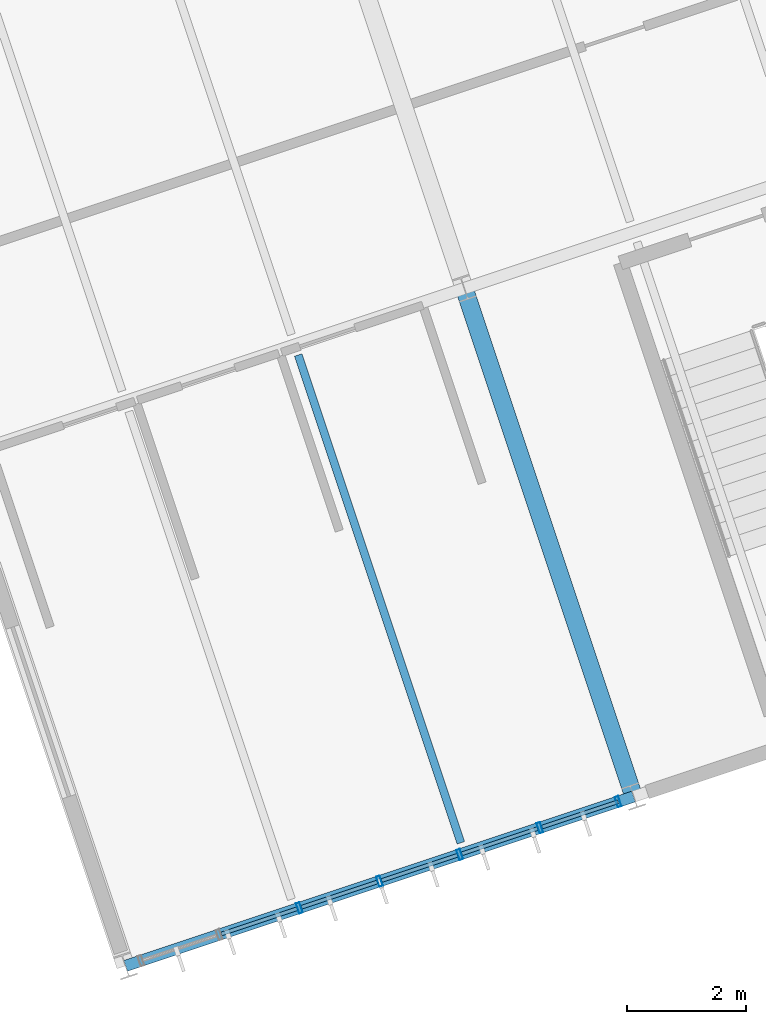
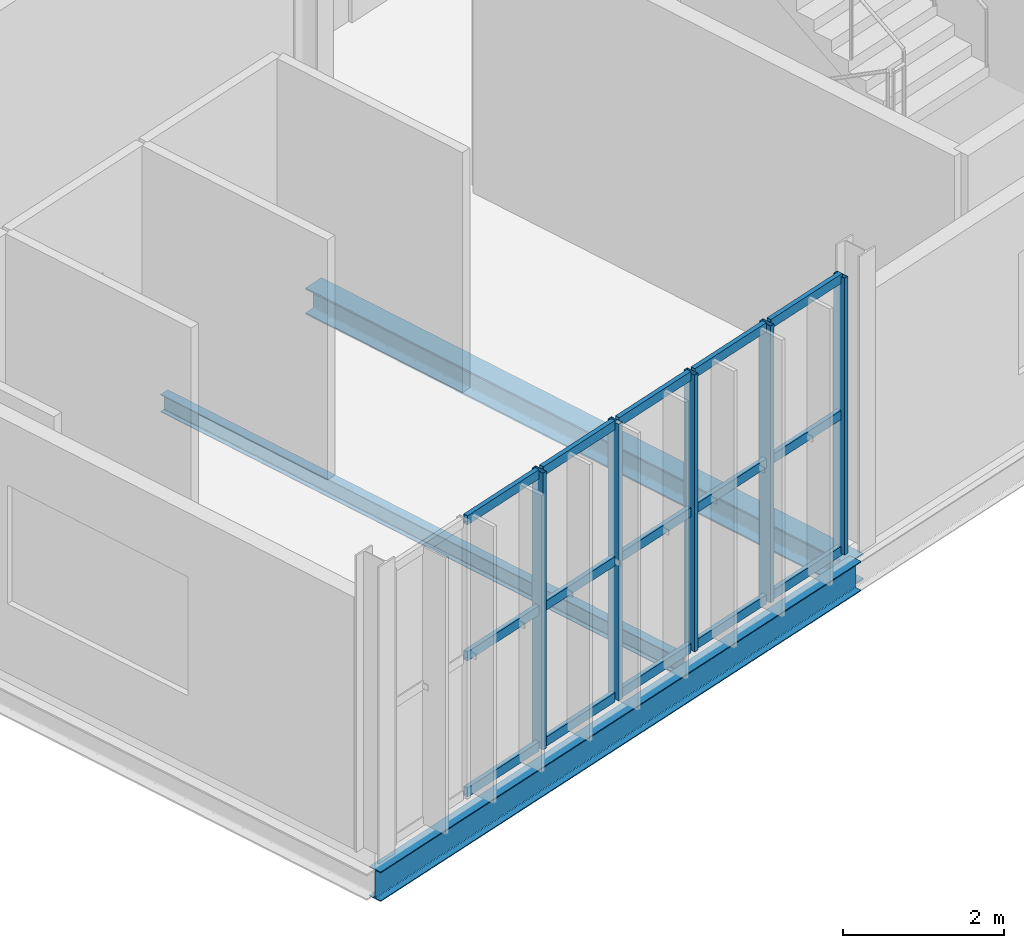
# One storey, part 28 of 152: 20 members, 3 beams, 1 element without a shape of its own.
"""IFC4 building model written with IfcOpenShell, lengths in metres."""

from ifc_helpers import new_model, si_unit, derived_unit, direction, frame, origin, origin_2d, place, context, subcontext, project, spatial, hollow_rectangle, i_section, extrude, material, material_profile, profile_set, type_object, element, aggregate, save


model = new_model("IFC4")

# Units and contexts
model_context = context("Model", 3, precision=1e-05, world=origin(), true_north=direction((0.0, 1.0)))
body_context = subcontext(model_context, "Body", "Model", "MODEL_VIEW")
ifc_project = project(units=[si_unit("LENGTHUNIT", "METRE"), si_unit("AREAUNIT", "SQUARE_METRE"), si_unit("VOLUMEUNIT", "CUBIC_METRE"), si_unit("PLANEANGLEUNIT", "RADIAN"), si_unit("MASSUNIT", "GRAM", prefix="KILO"), si_unit("THERMODYNAMICTEMPERATUREUNIT", "KELVIN"), si_unit("TIMEUNIT", "SECOND"), derived_unit("THERMALTRANSMITTANCEUNIT", [(si_unit("MASSUNIT", "GRAM", prefix="KILO"), 1), (si_unit("THERMODYNAMICTEMPERATUREUNIT", "KELVIN"), -1), (si_unit("TIMEUNIT", "SECOND"), -3)])], contexts=[model_context])

# Site, building, storey
site_placement = place(None, origin())
site = spatial("IfcSite", under=ifc_project, at=site_placement, CompositionType="ELEMENT")
building_placement = place(site_placement, origin())
building = spatial("IfcBuilding", under=site, at=building_placement, Name="Cambertide Market Hall", CompositionType="ELEMENT")
storey_placement = place(building_placement, frame((0.0, 0.0, 5.39990234375)))
storey = spatial("IfcBuildingStorey", under=building, at=storey_placement, Name="L02", CompositionType="ELEMENT", Elevation=5.39990234375)

# Curtain wall, members
ifc_material_1 = material(Name="Marine Anodized Aluminium 6063-T6 AA25", Category="aluminium")
curtain_wall_type = type_object("IfcCurtainWallType", Name="Food Court Upper Glazed Facade", PredefinedType="USERDEFINED", material=ifc_material_1)
curtain_wall_placement = place(storey_placement, origin())
curtain_wall = element("IfcCurtainWall", 1, at=curtain_wall_placement, inside=storey, type_object=curtain_wall_type, Name="Level 2 Curtain Wall CW-V3S-L02-1", ObjectType="UNITIZED CURTAIN WALL", PredefinedType="USERDEFINED")
ifc_material_2 = material(Name="Champagne Marine Anodized Aluminium 6063-T6 AA25", Category="aluminium")
ifc_material_profile_1 = material_profile(ifc_material_2, hollow_rectangle(XDim=0.06494140625, YDim=0.179931640625, WallThickness=0.00390625, at=origin_2d()), Name="ALU MULLION 65x180")
ifc_profile_set_1 = profile_set([ifc_material_profile_1], Name="Champagne Marine Anodized Aluminium 6063-T6 AA25")
member_type_1 = type_object("IfcMemberType", Name="Curtain Wall Mullion ALU MULLION 65x180", PredefinedType="MULLION", material=ifc_profile_set_1)
member_1_placement = place(storey_placement, frame((114.27734375, 14.759033203125, 0.0), z_axis=(0.0, 0.0, 1.0), x_axis=(-0.948683321523, -0.316227695598, 0.0)))
member_1 = element("IfcMember", 2, at=member_1_placement, type_object=member_type_1, Name="CW-V3S-L02-1 Mullion 1", PredefinedType="MULLION", context=body_context, shape_type="SweptSolid", body=[
    extrude(hollow_rectangle(XDim=0.06494140625, YDim=0.179931640625, WallThickness=0.00390625, at=origin_2d()), origin(), (0.0, 0.0, 1.0), 4.2001953125),
])
member_2_placement = place(storey_placement, frame((112.96337890625, 14.321044921875, 0.0), z_axis=(0.0, 0.0, 1.0), x_axis=(-0.948683321523, -0.316227695598, 0.0)))
member_2 = element("IfcMember", 3, at=member_2_placement, type_object=member_type_1, Name="CW-V3S-L02-1 Mullion 2", PredefinedType="MULLION", context=body_context, shape_type="SweptSolid", body=[
    extrude(hollow_rectangle(XDim=0.06494140625, YDim=0.179931640625, WallThickness=0.00390625, at=origin_2d()), origin(), (0.0, 0.0, 1.0), 4.2001953125),
])
member_3_placement = place(storey_placement, frame((111.6162109375, 13.8720703125, 0.0), z_axis=(0.0, 0.0, 1.0), x_axis=(-0.948683321523, -0.316227695598, 0.0)))
member_3 = element("IfcMember", 4, at=member_3_placement, type_object=member_type_1, Name="CW-V3S-L02-1 Mullion 3", PredefinedType="MULLION", context=body_context, shape_type="SweptSolid", body=[
    extrude(hollow_rectangle(XDim=0.06494140625, YDim=0.179931640625, WallThickness=0.00390625, at=origin_2d()), origin(), (0.0, 0.0, 1.0), 4.2001953125),
])
member_4_placement = place(storey_placement, frame((110.26904296875, 13.423095703125, 0.0), z_axis=(0.0, 0.0, 1.0), x_axis=(-0.948683321523, -0.316227695598, 0.0)))
member_4 = element("IfcMember", 5, at=member_4_placement, type_object=member_type_1, Name="CW-V3S-L02-1 Mullion 4", PredefinedType="MULLION", context=body_context, shape_type="SweptSolid", body=[
    extrude(hollow_rectangle(XDim=0.06494140625, YDim=0.179931640625, WallThickness=0.00390625, at=origin_2d()), origin(), (0.0, 0.0, 1.0), 4.2001953125),
])
member_5_placement = place(storey_placement, frame((108.921875, 12.973876953125, 0.0), z_axis=(0.0, 0.0, 1.0), x_axis=(-0.948683321523, -0.316227695598, 0.0)))
member_5 = element("IfcMember", 6, at=member_5_placement, type_object=member_type_1, Name="CW-V3S-L02-1 Mullion 5", PredefinedType="MULLION", context=body_context, shape_type="SweptSolid", body=[
    extrude(hollow_rectangle(XDim=0.06494140625, YDim=0.179931640625, WallThickness=0.00390625, at=origin_2d()), origin(), (0.0, 0.0, 1.0), 4.2001953125),
])
ifc_material_3 = material(Name="Champagne Marine Anodized Aluminium 6063-T6 AA25", Category="aluminium")
ifc_material_profile_2 = material_profile(ifc_material_3, hollow_rectangle(XDim=0.06494140625, YDim=0.139892578125, WallThickness=0.00341796875, at=origin_2d()), Name="ALU TRANSOM 65x140")
ifc_profile_set_2 = profile_set([ifc_material_profile_2], Name="Champagne Marine Anodized Aluminium 6063-T6 AA25")
member_type_2 = type_object("IfcMemberType", Name="Curtain Wall Transom ALU TRANSOM 65x140", PredefinedType="USERDEFINED", material=ifc_profile_set_2)
member_6_placement = place(storey_placement, frame((114.2724609375, 14.757568359375, 0.03515625), z_axis=(-0.948665077442, -0.316282422593, 0.0), x_axis=(0.316282422593, -0.948665077442, 0.0)))
member_6 = element("IfcMember", 7, at=member_6_placement, type_object=member_type_2, Name="CW-V3S-L02-1 Transom 1-1", ObjectType="TRANSOM", PredefinedType="USERDEFINED", context=body_context, shape_type="SweptSolid", body=[
    extrude(hollow_rectangle(XDim=0.06494140625, YDim=0.139892578125, WallThickness=0.00341796875, at=origin_2d()), origin(), (0.0, 0.0, 1.0), 1.340087890625),
])
member_7_placement = place(storey_placement, frame((112.92529296875, 14.308349609375, 0.03515625), z_axis=(-0.948719731918, -0.316118443418, 0.0), x_axis=(0.316118443418, -0.948719731918, 0.0)))
member_7 = element("IfcMember", 8, at=member_7_placement, type_object=member_type_2, Name="CW-V3S-L02-1 Transom 1-2", ObjectType="TRANSOM", PredefinedType="USERDEFINED", context=body_context, shape_type="SweptSolid", body=[
    extrude(hollow_rectangle(XDim=0.06494140625, YDim=0.139892578125, WallThickness=0.00341796875, at=origin_2d()), origin(), (0.0, 0.0, 1.0), 1.33984375),
])
member_8_placement = place(storey_placement, frame((111.578369140625, 13.859375, 0.03515625), z_axis=(-0.948719731918, -0.316118443418, 0.0), x_axis=(0.316118443418, -0.948719731918, 0.0)))
member_8 = element("IfcMember", 9, at=member_8_placement, type_object=member_type_2, Name="CW-V3S-L02-1 Transom 1-3", ObjectType="TRANSOM", PredefinedType="USERDEFINED", context=body_context, shape_type="SweptSolid", body=[
    extrude(hollow_rectangle(XDim=0.06494140625, YDim=0.139892578125, WallThickness=0.00341796875, at=origin_2d()), origin(), (0.0, 0.0, 1.0), 1.33984375),
])
member_9_placement = place(storey_placement, frame((110.231201171875, 13.410400390625, 0.03515625), z_axis=(-0.948665077442, -0.316282422593, 0.0), x_axis=(0.316282422593, -0.948665077442, 0.0)))
member_9 = element("IfcMember", 10, at=member_9_placement, type_object=member_type_2, Name="CW-V3S-L02-1 Transom 1-4", ObjectType="TRANSOM", PredefinedType="USERDEFINED", context=body_context, shape_type="SweptSolid", body=[
    extrude(hollow_rectangle(XDim=0.06494140625, YDim=0.139892578125, WallThickness=0.00341796875, at=origin_2d()), origin(), (0.0, 0.0, 1.0), 1.340087890625),
])
member_10_placement = place(storey_placement, frame((108.884033203125, 12.96142578125, 0.03515625), z_axis=(-0.948665077442, -0.316282422593, 0.0), x_axis=(0.316282422593, -0.948665077442, 0.0)))
member_10 = element("IfcMember", 11, at=member_10_placement, type_object=member_type_2, Name="CW-V3S-L02-1 Transom 1-5", ObjectType="TRANSOM", PredefinedType="USERDEFINED", context=body_context, shape_type="SweptSolid", body=[
    extrude(hollow_rectangle(XDim=0.06494140625, YDim=0.139892578125, WallThickness=0.00341796875, at=origin_2d()), origin(), (0.0, 0.0, 1.0), 1.340087890625),
])
member_11_placement = place(storey_placement, frame((114.2724609375, 14.757568359375, 2.10009765625), z_axis=(-0.948665077442, -0.316282422593, 0.0), x_axis=(0.316282422593, -0.948665077442, 0.0)))
member_11 = element("IfcMember", 12, at=member_11_placement, type_object=member_type_2, Name="CW-V3S-L02-1 Transom 2-1", ObjectType="TRANSOM", PredefinedType="USERDEFINED", context=body_context, shape_type="SweptSolid", body=[
    extrude(hollow_rectangle(XDim=0.06494140625, YDim=0.139892578125, WallThickness=0.00341796875, at=origin_2d()), origin(), (0.0, 0.0, 1.0), 1.340087890625),
])
member_12_placement = place(storey_placement, frame((112.92529296875, 14.308349609375, 2.10009765625), z_axis=(-0.948719731918, -0.316118443418, 0.0), x_axis=(0.316118443418, -0.948719731918, 0.0)))
member_12 = element("IfcMember", 13, at=member_12_placement, type_object=member_type_2, Name="CW-V3S-L02-1 Transom 2-2", ObjectType="TRANSOM", PredefinedType="USERDEFINED", context=body_context, shape_type="SweptSolid", body=[
    extrude(hollow_rectangle(XDim=0.06494140625, YDim=0.139892578125, WallThickness=0.00341796875, at=origin_2d()), origin(), (0.0, 0.0, 1.0), 1.33984375),
])
member_13_placement = place(storey_placement, frame((111.578369140625, 13.859375, 2.10009765625), z_axis=(-0.948719731918, -0.316118443418, 0.0), x_axis=(0.316118443418, -0.948719731918, 0.0)))
member_13 = element("IfcMember", 14, at=member_13_placement, type_object=member_type_2, Name="CW-V3S-L02-1 Transom 2-3", ObjectType="TRANSOM", PredefinedType="USERDEFINED", context=body_context, shape_type="SweptSolid", body=[
    extrude(hollow_rectangle(XDim=0.06494140625, YDim=0.139892578125, WallThickness=0.00341796875, at=origin_2d()), origin(), (0.0, 0.0, 1.0), 1.33984375),
])
member_14_placement = place(storey_placement, frame((110.231201171875, 13.410400390625, 2.10009765625), z_axis=(-0.948665077442, -0.316282422593, 0.0), x_axis=(0.316282422593, -0.948665077442, 0.0)))
member_14 = element("IfcMember", 15, at=member_14_placement, type_object=member_type_2, Name="CW-V3S-L02-1 Transom 2-4", ObjectType="TRANSOM", PredefinedType="USERDEFINED", context=body_context, shape_type="SweptSolid", body=[
    extrude(hollow_rectangle(XDim=0.06494140625, YDim=0.139892578125, WallThickness=0.00341796875, at=origin_2d()), origin(), (0.0, 0.0, 1.0), 1.340087890625),
])
member_15_placement = place(storey_placement, frame((108.884033203125, 12.96142578125, 2.10009765625), z_axis=(-0.948665077442, -0.316282422593, 0.0), x_axis=(0.316282422593, -0.948665077442, 0.0)))
member_15 = element("IfcMember", 16, at=member_15_placement, type_object=member_type_2, Name="CW-V3S-L02-1 Transom 2-5", ObjectType="TRANSOM", PredefinedType="USERDEFINED", context=body_context, shape_type="SweptSolid", body=[
    extrude(hollow_rectangle(XDim=0.06494140625, YDim=0.139892578125, WallThickness=0.00341796875, at=origin_2d()), origin(), (0.0, 0.0, 1.0), 1.340087890625),
])
member_16_placement = place(storey_placement, frame((114.2724609375, 14.757568359375, 4.1650390625), z_axis=(-0.948665077442, -0.316282422593, 0.0), x_axis=(0.316282422593, -0.948665077442, 0.0)))
member_16 = element("IfcMember", 17, at=member_16_placement, type_object=member_type_2, Name="CW-V3S-L02-1 Transom 3-1", ObjectType="TRANSOM", PredefinedType="USERDEFINED", context=body_context, shape_type="SweptSolid", body=[
    extrude(hollow_rectangle(XDim=0.06494140625, YDim=0.139892578125, WallThickness=0.00341796875, at=origin_2d()), origin(), (0.0, 0.0, 1.0), 1.340087890625),
])
member_17_placement = place(storey_placement, frame((112.92529296875, 14.308349609375, 4.1650390625), z_axis=(-0.948719731918, -0.316118443418, 0.0), x_axis=(0.316118443418, -0.948719731918, 0.0)))
member_17 = element("IfcMember", 18, at=member_17_placement, type_object=member_type_2, Name="CW-V3S-L02-1 Transom 3-2", ObjectType="TRANSOM", PredefinedType="USERDEFINED", context=body_context, shape_type="SweptSolid", body=[
    extrude(hollow_rectangle(XDim=0.06494140625, YDim=0.139892578125, WallThickness=0.00341796875, at=origin_2d()), origin(), (0.0, 0.0, 1.0), 1.33984375),
])
member_18_placement = place(storey_placement, frame((111.578369140625, 13.859375, 4.1650390625), z_axis=(-0.948719731918, -0.316118443418, 0.0), x_axis=(0.316118443418, -0.948719731918, 0.0)))
member_18 = element("IfcMember", 19, at=member_18_placement, type_object=member_type_2, Name="CW-V3S-L02-1 Transom 3-3", ObjectType="TRANSOM", PredefinedType="USERDEFINED", context=body_context, shape_type="SweptSolid", body=[
    extrude(hollow_rectangle(XDim=0.06494140625, YDim=0.139892578125, WallThickness=0.00341796875, at=origin_2d()), origin(), (0.0, 0.0, 1.0), 1.33984375),
])
member_19_placement = place(storey_placement, frame((110.231201171875, 13.410400390625, 4.1650390625), z_axis=(-0.948665077442, -0.316282422593, 0.0), x_axis=(0.316282422593, -0.948665077442, 0.0)))
member_19 = element("IfcMember", 20, at=member_19_placement, type_object=member_type_2, Name="CW-V3S-L02-1 Transom 3-4", ObjectType="TRANSOM", PredefinedType="USERDEFINED", context=body_context, shape_type="SweptSolid", body=[
    extrude(hollow_rectangle(XDim=0.06494140625, YDim=0.139892578125, WallThickness=0.00341796875, at=origin_2d()), origin(), (0.0, 0.0, 1.0), 1.340087890625),
])
member_20_placement = place(storey_placement, frame((108.884033203125, 12.96142578125, 4.1650390625), z_axis=(-0.948665077442, -0.316282422593, 0.0), x_axis=(0.316282422593, -0.948665077442, 0.0)))
member_20 = element("IfcMember", 21, at=member_20_placement, type_object=member_type_2, Name="CW-V3S-L02-1 Transom 3-5", ObjectType="TRANSOM", PredefinedType="USERDEFINED", context=body_context, shape_type="SweptSolid", body=[
    extrude(hollow_rectangle(XDim=0.06494140625, YDim=0.139892578125, WallThickness=0.00341796875, at=origin_2d()), origin(), (0.0, 0.0, 1.0), 1.340087890625),
])
aggregate(curtain_wall, [member_1, member_2, member_3, member_4, member_5, member_6, member_7, member_8, member_9, member_10, member_11, member_12, member_13, member_14, member_15, member_16, member_17, member_18, member_19, member_20])

# Beams
ifc_material_4 = material(Name="Steel S355", Category="steel")
ifc_material_profile_3 = material_profile(ifc_material_4, i_section(OverallWidth=0.18994140625, OverallDepth=0.449951171875, WebThickness=0.009521484375, FlangeThickness=0.0146484375, FilletRadius=0.02099609375, at=origin_2d()), Name="IPE 450")
ifc_profile_set_3 = profile_set([ifc_material_profile_3], Name="Steel S355")
beam_type_1 = type_object("IfcBeamType", Name="Perimeter Spandrel Beam IPE 450", PredefinedType="SPANDREL", material=ifc_profile_set_3)
beam_1_placement = place(storey_placement, frame((106.0, 12.0, -0.474853515625), z_axis=(0.948686010717, 0.3162196279, 0.0), x_axis=(-0.3162196279, 0.948686010717, 0.0)))
element("IfcBeam", 22, at=beam_1_placement, inside=storey, type_object=beam_type_1, Name="Level 2 Spandrel BM-V3U-L02-1-1", PredefinedType="SPANDREL", context=body_context, shape_type="SweptSolid", body=[
    extrude(i_section(OverallWidth=0.18994140625, OverallDepth=0.449951171875, WebThickness=0.009521484375, FlangeThickness=0.0146484375, FilletRadius=0.02099609375, at=origin_2d()), origin(), (0.0, 0.0, 1.0), 9.0),
])
ifc_material_5 = material(Name="Steel S355", Category="steel")
ifc_material_profile_4 = material_profile(ifc_material_5, i_section(OverallWidth=0.300048828125, OverallDepth=0.39990234375, WebThickness=0.013427734375, FlangeThickness=0.02392578125, FilletRadius=0.027099609375, at=origin_2d()), Name="HEB 400")
ifc_profile_set_4 = profile_set([ifc_material_profile_4], Name="Steel S355")
beam_type_2 = type_object("IfcBeamType", Name="Steel Girder HEB 400", PredefinedType="BEAM", material=ifc_profile_set_4)
beam_2_placement = place(storey_placement, frame((114.5380859375, 14.845947265625, -0.449951171875), z_axis=(-0.316211490179, 0.948688723175, 0.0), x_axis=(-0.948688723175, -0.316211490179, 0.0)))
element("IfcBeam", 23, at=beam_2_placement, inside=storey, type_object=beam_type_2, Name="Level 2 Beam BM-V3V-L02-2-1", PredefinedType="BEAM", context=body_context, shape_type="SweptSolid", body=[
    extrude(i_section(OverallWidth=0.300048828125, OverallDepth=0.39990234375, WebThickness=0.013427734375, FlangeThickness=0.02392578125, FilletRadius=0.027099609375, at=origin_2d()), origin(), (0.0, 0.0, 1.0), 9.000244140625),
])
ifc_material_6 = material(Name="Steel S275", Category="steel")
ifc_material_profile_5 = material_profile(ifc_material_6, i_section(OverallWidth=0.135009765625, OverallDepth=0.27001953125, WebThickness=0.006591796875, FlangeThickness=0.01025390625, FilletRadius=0.014892578125, at=origin_2d()), Name="IPE 270")
ifc_profile_set_5 = profile_set([ifc_material_profile_5], Name="Steel S275")
beam_type_3 = type_object("IfcBeamType", Name="Steel Secondary Joist IPE 270", PredefinedType="JOIST", material=ifc_profile_set_5)
beam_3_placement = place(storey_placement, frame((111.63525390625, 14.068115234375, -0.385009765625), z_axis=(-0.316227766017, 0.948683298051, 0.0), x_axis=(-0.948683298051, -0.316227766017, 0.0)))
element("IfcBeam", 24, at=beam_3_placement, inside=storey, type_object=beam_type_3, Name="Level 2 Joist JS-V3-L02-1-1-2", PredefinedType="JOIST", context=body_context, shape_type="SweptSolid", body=[
    extrude(i_section(OverallWidth=0.135009765625, OverallDepth=0.27001953125, WebThickness=0.006591796875, FlangeThickness=0.01025390625, FilletRadius=0.014892578125, at=origin_2d()), origin(), (0.0, 0.0, 1.0), 8.639892578125),
])

save(model, "model.ifc")
